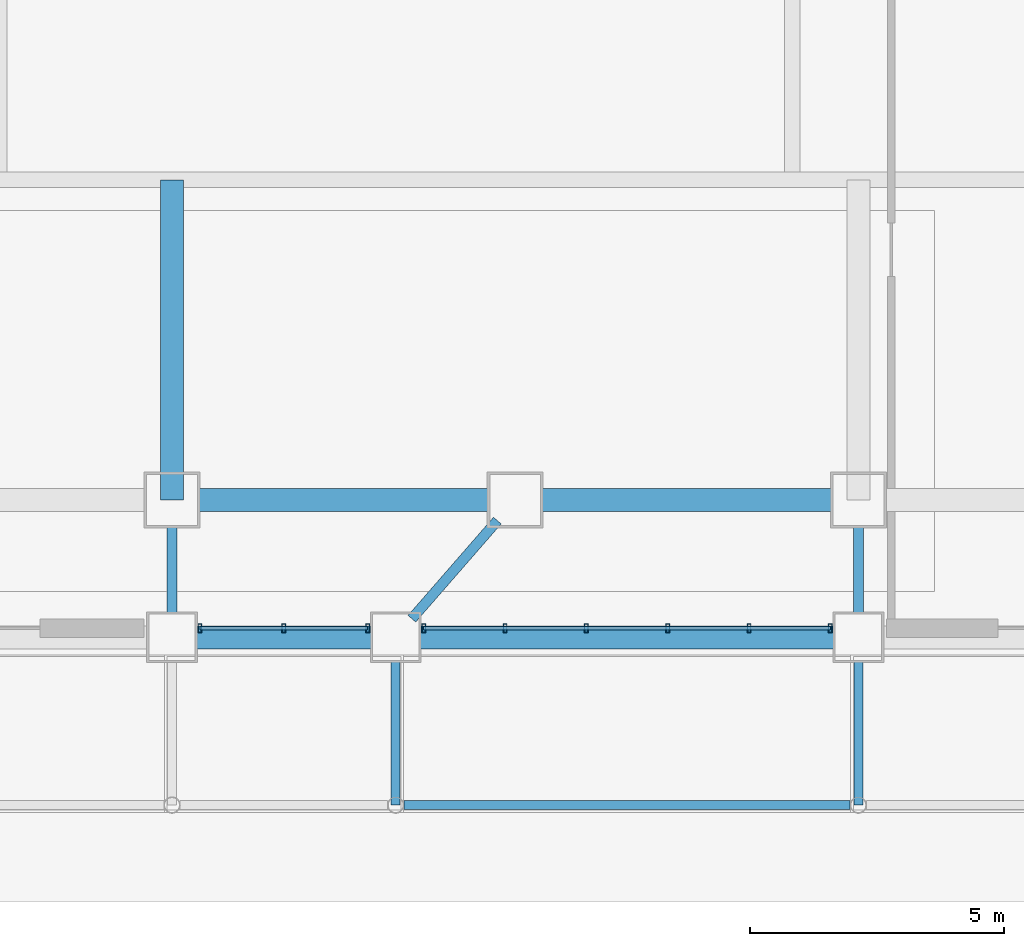
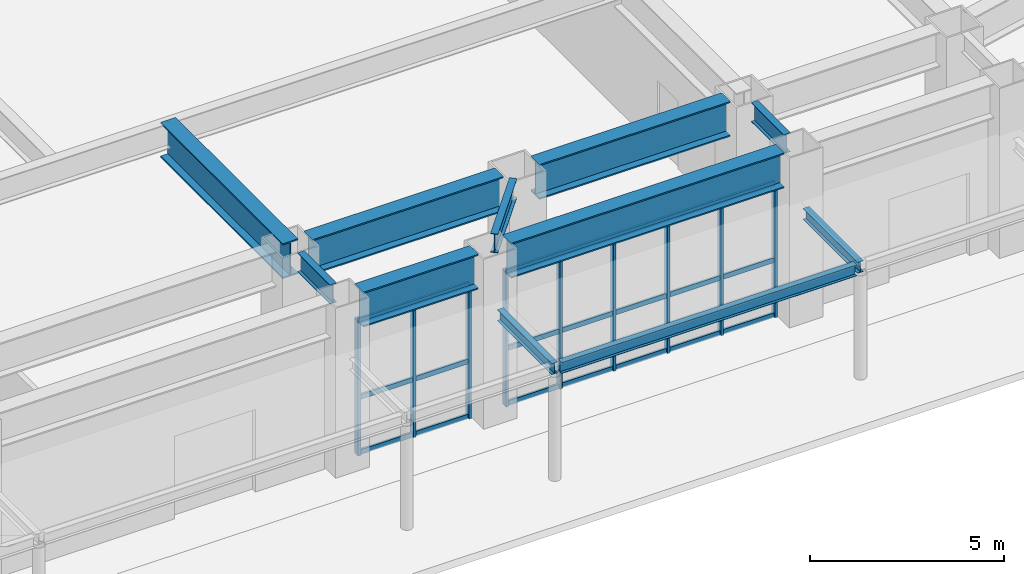
# One storey, part 6 of 18: 15 members, 11 beams, 2 elements without a shape of their own.
"""IFC4 building model written with IfcOpenShell, lengths in metres."""

from ifc_helpers import new_model, si_unit, direction, frame, origin, origin_2d, place, context, subcontext, project, spatial, hollow_rectangle, i_section, extrude, source, transform, mapped, material, layer, layer_set, material_profile, profile_set, type_object, element, aggregate, save


model = new_model("IFC4")

# Units and contexts
model_context = context("Model", 3, precision=1e-05, world=origin(), true_north=direction((0.0, 1.0)))
body_context = subcontext(model_context, "Body", "Model", "MODEL_VIEW")
ifc_project = project(units=[si_unit("LENGTHUNIT", "METRE"), si_unit("AREAUNIT", "SQUARE_METRE"), si_unit("VOLUMEUNIT", "CUBIC_METRE"), si_unit("PLANEANGLEUNIT", "RADIAN"), si_unit("MASSUNIT", "GRAM", prefix="KILO")], contexts=[model_context])

# Site, building, storey
site_placement = place(None, origin())
site = spatial("IfcSite", under=ifc_project, at=site_placement, CompositionType="ELEMENT")
building_placement = place(site_placement, origin())
building = spatial("IfcBuilding", under=site, at=building_placement, Name="Giltprow Tower", CompositionType="ELEMENT")
storey_placement = place(building_placement, origin())
storey = spatial("IfcBuildingStorey", under=building, at=storey_placement, Name="L01", CompositionType="ELEMENT", Elevation=0.0)

# Beams
ifc_material_1 = material(Name="Structural steel Q420GJC", Category="steel")
ifc_material_profile_1 = material_profile(ifc_material_1, i_section(OverallWidth=0.449951171875, OverallDepth=1.10009765625, WebThickness=0.02587890625, FlangeThickness=0.0419921875, at=origin_2d()), Name="WH 1100x450x26x42")
ifc_profile_set_1 = profile_set([ifc_material_profile_1], Name="Structural steel Q420GJC")
beam_type_1 = type_object("IfcBeamType", Name="BM-GIRD-WH1100", PredefinedType="BEAM", material=ifc_profile_set_1)
shared_shape_1 = source(origin(), body_context, "Body", "SweptSolid", [
    extrude(i_section(OverallWidth=0.449951171875, OverallDepth=1.10009765625, WebThickness=0.02587890625, FlangeThickness=0.0419921875, at=origin_2d()), origin(), (0.0, 0.0, 1.0), 5.679931640625),
])
for number, where, z_axis, x_axis, name in (
    (1, (31.3349609375, 3.300048828125, 4.7900390625), (1.0, 0.0, 0.0), (0.0, 1.0, 0.0), "L01 Tower Base Ring Girder 3"),
    (2, (38.0849609375, 3.300048828125, 4.7900390625), (1.0, 0.0, 0.0), (0.0, 1.0, 0.0), "L01 Tower Base Ring Girder 4"),
):
    element("IfcBeam", number, at=place(storey_placement, frame(where, z_axis=z_axis, x_axis=x_axis)), inside=storey, type_object=beam_type_1, Name=name, PredefinedType="BEAM", context=body_context, shape_type="MappedRepresentation", body=[
        mapped(shared_shape_1, transform((0.0, 0.0, 0.0), x_axis=(1.0, 0.0, 0.0), y_axis=(0.0, 1.0, 0.0), z_axis=(0.0, 0.0, 1.0), scale=1.0)),
    ])
shared_shape_2 = source(origin(), body_context, "Body", "SweptSolid", [
    extrude(i_section(OverallWidth=0.449951171875, OverallDepth=1.10009765625, WebThickness=0.02587890625, FlangeThickness=0.0419921875, at=origin_2d()), origin(), (0.0, 0.0, 1.0), 3.43017578125),
])
beam_1_placement = place(storey_placement, frame((31.284912109375, 0.60009765625, 4.7900390625), z_axis=(1.0, 0.0, 0.0), x_axis=(0.0, 1.0, 0.0)))
element("IfcBeam", 3, at=beam_1_placement, inside=storey, type_object=beam_type_1, Name="L01 Podium South Edge Girder", PredefinedType="BEAM", context=body_context, shape_type="MappedRepresentation", body=[
    mapped(shared_shape_2, transform((0.0, 0.0, 0.0), x_axis=(1.0, 0.0, 0.0), y_axis=(0.0, 1.0, 0.0), z_axis=(0.0, 0.0, 1.0), scale=1.0)),
])
shared_shape_3 = source(origin(), body_context, "Body", "SweptSolid", [
    extrude(i_section(OverallWidth=0.449951171875, OverallDepth=1.10009765625, WebThickness=0.02587890625, FlangeThickness=0.0419921875, at=origin_2d()), origin(), (0.0, 0.0, 1.0), 8.1298828125),
])
beam_2_placement = place(storey_placement, frame((35.68505859375, 0.60009765625, 4.7900390625), z_axis=(1.0, 0.0, 0.0), x_axis=(0.0, 1.0, 0.0)))
element("IfcBeam", 4, at=beam_2_placement, inside=storey, type_object=beam_type_1, Name="L01 Podium South Edge Girder", PredefinedType="BEAM", context=body_context, shape_type="MappedRepresentation", body=[
    mapped(shared_shape_3, transform((0.0, 0.0, 0.0), x_axis=(1.0, 0.0, 0.0), y_axis=(0.0, 1.0, 0.0), z_axis=(0.0, 0.0, 1.0), scale=1.0)),
])
ifc_material_2 = material(Name="Structural steel Q355B", Category="steel")
ifc_material_profile_2 = material_profile(ifc_material_2, i_section(OverallWidth=0.199951171875, OverallDepth=0.60009765625, WebThickness=0.010986328125, FlangeThickness=0.01708984375, at=origin_2d()), Name="HN 600x200x11x17")
ifc_profile_set_2 = profile_set([ifc_material_profile_2], Name="Structural steel Q355B")
beam_type_2 = type_object("IfcBeamType", Name="BM-GIRD-HN600", PredefinedType="BEAM", material=ifc_profile_set_2)
shared_shape_4 = source(origin(), body_context, "Body", "SweptSolid", [
    extrude(i_section(OverallWidth=0.199951171875, OverallDepth=0.60009765625, WebThickness=0.010986328125, FlangeThickness=0.01708984375, at=origin_2d()), origin(), (0.0, 0.0, 1.0), 1.679931640625),
])
for number, where, z_axis, x_axis, name in (
    (5, (30.800048828125, 1.0849609375, 5.0400390625), (0.0, 1.0, 0.0), (-1.0, 0.0, 0.0), "L01 South Perimeter Tie S2"),
    (6, (44.300048828125, 1.0849609375, 5.0400390625), (0.0, 1.0, 0.0), (-1.0, 0.0, 0.0), "L01 South Perimeter Tie S3"),
):
    element("IfcBeam", number, at=place(storey_placement, frame(where, z_axis=z_axis, x_axis=x_axis)), inside=storey, type_object=beam_type_2, Name=name, PredefinedType="BEAM", context=body_context, shape_type="MappedRepresentation", body=[
        mapped(shared_shape_4, transform((0.0, 0.0, 0.0), x_axis=(1.0, 0.0, 0.0), y_axis=(0.0, 1.0, 0.0), z_axis=(0.0, 0.0, 1.0), scale=1.0)),
    ])
shared_shape_5 = source(origin(), body_context, "Body", "SweptSolid", [
    extrude(i_section(OverallWidth=0.449951171875, OverallDepth=1.10009765625, WebThickness=0.02587890625, FlangeThickness=0.0419921875, at=origin_2d()), origin(), (0.0, 0.0, 1.0), 6.300048828125),
])
beam_3_placement = place(storey_placement, frame((30.800048828125, 3.300048828125, 4.7900390625), z_axis=(0.0, 1.0, 0.0), x_axis=(-1.0, 0.0, 0.0)))
element("IfcBeam", 7, at=beam_3_placement, inside=storey, type_object=beam_type_1, Name="L01 Atrium South Girder S2", PredefinedType="BEAM", context=body_context, shape_type="MappedRepresentation", body=[
    mapped(shared_shape_5, transform((0.0, 0.0, 0.0), x_axis=(1.0, 0.0, 0.0), y_axis=(0.0, 1.0, 0.0), z_axis=(0.0, 0.0, 1.0), scale=1.0)),
])
shared_shape_6 = source(origin(), body_context, "Body", "SweptSolid", [
    extrude(i_section(OverallWidth=0.199951171875, OverallDepth=0.60009765625, WebThickness=0.010986328125, FlangeThickness=0.01708984375, at=origin_2d()), origin(), (0.0, 0.0, 1.0), 2.559326171875),
])
beam_4_placement = place(storey_placement, frame((35.51806640625, 0.966064453125, 5.0400390625), z_axis=(0.656780744804, 0.754081595886, 0.0), x_axis=(-0.754081595886, 0.656780744804, 0.0)))
element("IfcBeam", 8, at=beam_4_placement, inside=storey, type_object=beam_type_2, Name="L01 South Mid Tie", PredefinedType="BEAM", context=body_context, shape_type="MappedRepresentation", body=[
    mapped(shared_shape_6, transform((0.0, 0.0, 0.0), x_axis=(1.0, 0.0, 0.0), y_axis=(0.0, 1.0, 0.0), z_axis=(0.0, 0.0, 1.0), scale=1.0)),
])

# Curtain wall, members
ifc_material_3 = material(Name="Anodized bronze", Category="metal")
ifc_layer = layer(ifc_material_3, 0.179931640625, Name="Anodized bronze")
ifc_layer_set = layer_set([ifc_layer], Name="Anodized bronze")
curtain_wall_type = type_object("IfcCurtainWallType", Name="CW-POD-STOREFRONT", PredefinedType="NOTDEFINED", material=ifc_layer_set)
curtain_wall_1_placement = place(storey_placement, origin())
curtain_wall_1 = element("IfcCurtainWall", 9, at=curtain_wall_1_placement, inside=storey, type_object=curtain_wall_type, Name="L01 South Waterfront Storefront 3", PredefinedType="NOTDEFINED")
ifc_material_profile_3 = material_profile(ifc_material_3, hollow_rectangle(XDim=0.074951171875, YDim=0.179931640625, WallThickness=0.008056640625, at=origin_2d()), Name="RHS 180x75x8")
ifc_profile_set_3 = profile_set([ifc_material_profile_3], Name="Anodized bronze")
member_type_1 = type_object("IfcMemberType", Name="CW-MULLION-180x75", PredefinedType="MULLION", material=ifc_profile_set_3)
shared_shape_7 = source(origin(), body_context, "Body", "SweptSolid", [
    extrude(hollow_rectangle(XDim=0.074951171875, YDim=0.179931640625, WallThickness=0.008056640625, at=origin_2d()), origin(), (0.0, 0.0, 1.0), 4.260009765625),
])
member_1_placement = place(storey_placement, frame((31.35009765625, 0.780029296875, -0.02001953125), z_axis=(0.0, 0.0, 1.0), x_axis=(1.0, 0.0, 0.0)))
member_1 = element("IfcMember", 10, at=member_1_placement, type_object=member_type_1, Name="L01 South Waterfront Storefront 3 Mullion 1", PredefinedType="MULLION", context=body_context, shape_type="MappedRepresentation", body=[
    mapped(shared_shape_7, transform((0.0, 0.0, 0.0), x_axis=(1.0, 0.0, 0.0), y_axis=(0.0, 1.0, 0.0), z_axis=(0.0, 0.0, 1.0), scale=1.0)),
])
member_2_placement = place(storey_placement, frame((33.0, 0.780029296875, -0.02001953125), z_axis=(0.0, 0.0, 1.0), x_axis=(1.0, 0.0, 0.0)))
member_2 = element("IfcMember", 11, at=member_2_placement, type_object=member_type_1, Name="L01 South Waterfront Storefront 3 Mullion 2", PredefinedType="MULLION", context=body_context, shape_type="MappedRepresentation", body=[
    mapped(shared_shape_7, transform((0.0, 0.0, 0.0), x_axis=(1.0, 0.0, 0.0), y_axis=(0.0, 1.0, 0.0), z_axis=(0.0, 0.0, 1.0), scale=1.0)),
])
member_3_placement = place(storey_placement, frame((34.64990234375, 0.780029296875, -0.02001953125), z_axis=(0.0, 0.0, 1.0), x_axis=(1.0, 0.0, 0.0)))
member_3 = element("IfcMember", 12, at=member_3_placement, type_object=member_type_1, Name="L01 South Waterfront Storefront 3 Mullion 3", PredefinedType="MULLION", context=body_context, shape_type="MappedRepresentation", body=[
    mapped(shared_shape_7, transform((0.0, 0.0, 0.0), x_axis=(1.0, 0.0, 0.0), y_axis=(0.0, 1.0, 0.0), z_axis=(0.0, 0.0, 1.0), scale=1.0)),
])

curtain_wall_2_placement = place(storey_placement, origin())
curtain_wall_2 = element("IfcCurtainWall", 13, at=curtain_wall_2_placement, inside=storey, type_object=curtain_wall_type, Name="L01 South Waterfront Storefront 4", PredefinedType="NOTDEFINED")
member_4_placement = place(storey_placement, frame((35.75, 0.780029296875, -0.02001953125), z_axis=(0.0, 0.0, 1.0), x_axis=(1.0, 0.0, 0.0)))
member_4 = element("IfcMember", 14, at=member_4_placement, type_object=member_type_1, Name="L01 South Waterfront Storefront 4 Mullion 1", PredefinedType="MULLION", context=body_context, shape_type="MappedRepresentation", body=[
    mapped(shared_shape_7, transform((0.0, 0.0, 0.0), x_axis=(1.0, 0.0, 0.0), y_axis=(0.0, 1.0, 0.0), z_axis=(0.0, 0.0, 1.0), scale=1.0)),
])
member_5_placement = place(storey_placement, frame((37.35009765625, 0.780029296875, -0.02001953125), z_axis=(0.0, 0.0, 1.0), x_axis=(1.0, 0.0, 0.0)))
member_5 = element("IfcMember", 15, at=member_5_placement, type_object=member_type_1, Name="L01 South Waterfront Storefront 4 Mullion 2", PredefinedType="MULLION", context=body_context, shape_type="MappedRepresentation", body=[
    mapped(shared_shape_7, transform((0.0, 0.0, 0.0), x_axis=(1.0, 0.0, 0.0), y_axis=(0.0, 1.0, 0.0), z_axis=(0.0, 0.0, 1.0), scale=1.0)),
])
member_6_placement = place(storey_placement, frame((38.949951171875, 0.780029296875, -0.02001953125), z_axis=(0.0, 0.0, 1.0), x_axis=(1.0, 0.0, 0.0)))
member_6 = element("IfcMember", 16, at=member_6_placement, type_object=member_type_1, Name="L01 South Waterfront Storefront 4 Mullion 3", PredefinedType="MULLION", context=body_context, shape_type="MappedRepresentation", body=[
    mapped(shared_shape_7, transform((0.0, 0.0, 0.0), x_axis=(1.0, 0.0, 0.0), y_axis=(0.0, 1.0, 0.0), z_axis=(0.0, 0.0, 1.0), scale=1.0)),
])
member_7_placement = place(storey_placement, frame((40.550048828125, 0.780029296875, -0.02001953125), z_axis=(0.0, 0.0, 1.0), x_axis=(1.0, 0.0, 0.0)))
member_7 = element("IfcMember", 17, at=member_7_placement, type_object=member_type_1, Name="L01 South Waterfront Storefront 4 Mullion 4", PredefinedType="MULLION", context=body_context, shape_type="MappedRepresentation", body=[
    mapped(shared_shape_7, transform((0.0, 0.0, 0.0), x_axis=(1.0, 0.0, 0.0), y_axis=(0.0, 1.0, 0.0), z_axis=(0.0, 0.0, 1.0), scale=1.0)),
])
member_8_placement = place(storey_placement, frame((42.14990234375, 0.780029296875, -0.02001953125), z_axis=(0.0, 0.0, 1.0), x_axis=(1.0, 0.0, 0.0)))
member_8 = element("IfcMember", 18, at=member_8_placement, type_object=member_type_1, Name="L01 South Waterfront Storefront 4 Mullion 5", PredefinedType="MULLION", context=body_context, shape_type="MappedRepresentation", body=[
    mapped(shared_shape_7, transform((0.0, 0.0, 0.0), x_axis=(1.0, 0.0, 0.0), y_axis=(0.0, 1.0, 0.0), z_axis=(0.0, 0.0, 1.0), scale=1.0)),
])
member_9_placement = place(storey_placement, frame((43.75, 0.780029296875, -0.02001953125), z_axis=(0.0, 0.0, 1.0), x_axis=(1.0, 0.0, 0.0)))
member_9 = element("IfcMember", 19, at=member_9_placement, type_object=member_type_1, Name="L01 South Waterfront Storefront 4 Mullion 6", PredefinedType="MULLION", context=body_context, shape_type="MappedRepresentation", body=[
    mapped(shared_shape_7, transform((0.0, 0.0, 0.0), x_axis=(1.0, 0.0, 0.0), y_axis=(0.0, 1.0, 0.0), z_axis=(0.0, 0.0, 1.0), scale=1.0)),
])

# Member
ifc_material_profile_4 = material_profile(ifc_material_3, hollow_rectangle(XDim=0.06494140625, YDim=0.14990234375, WallThickness=0.006103515625, at=origin_2d()), Name="RHS 150x65x6")
ifc_profile_set_4 = profile_set([ifc_material_profile_4], Name="Anodized bronze")
member_type_2 = type_object("IfcMemberType", Name="CW-TRANSOM-150x65", PredefinedType="USERDEFINED", material=ifc_profile_set_4)
shared_shape_8 = source(origin(), body_context, "Body", "SweptSolid", [
    extrude(hollow_rectangle(XDim=0.06494140625, YDim=0.14990234375, WallThickness=0.006103515625, at=origin_2d()), origin(), (0.0, 0.0, 1.0), 3.2998046875),
])
member_10_placement = place(storey_placement, frame((31.35009765625, 0.780029296875, 0.0400390625), z_axis=(1.0, 0.0, 0.0), x_axis=(0.0, 1.0, 0.0)))
member_10 = element("IfcMember", 20, at=member_10_placement, type_object=member_type_2, Name="L01 South Waterfront Storefront 3 Transom 1", ObjectType="TRANSOM", PredefinedType="USERDEFINED", context=body_context, shape_type="MappedRepresentation", body=[
    mapped(shared_shape_8, transform((0.0, 0.0, 0.0), x_axis=(1.0, 0.0, 0.0), y_axis=(0.0, 1.0, 0.0), z_axis=(0.0, 0.0, 1.0), scale=1.0)),
])

member_11_placement = place(storey_placement, frame((31.35009765625, 0.780029296875, 1.77197265625), z_axis=(1.0, 0.0, 0.0), x_axis=(0.0, 1.0, 0.0)))
member_11 = element("IfcMember", 21, at=member_11_placement, type_object=member_type_2, Name="L01 South Waterfront Storefront 3 Transom 2", ObjectType="TRANSOM", PredefinedType="USERDEFINED", context=body_context, shape_type="MappedRepresentation", body=[
    mapped(shared_shape_8, transform((0.0, 0.0, 0.0), x_axis=(1.0, 0.0, 0.0), y_axis=(0.0, 1.0, 0.0), z_axis=(0.0, 0.0, 1.0), scale=1.0)),
])

member_12_placement = place(storey_placement, frame((31.35009765625, 0.780029296875, 4.179931640625), z_axis=(1.0, 0.0, 0.0), x_axis=(0.0, 1.0, 0.0)))
member_12 = element("IfcMember", 22, at=member_12_placement, type_object=member_type_2, Name="L01 South Waterfront Storefront 3 Transom 3", ObjectType="TRANSOM", PredefinedType="USERDEFINED", context=body_context, shape_type="MappedRepresentation", body=[
    mapped(shared_shape_8, transform((0.0, 0.0, 0.0), x_axis=(1.0, 0.0, 0.0), y_axis=(0.0, 1.0, 0.0), z_axis=(0.0, 0.0, 1.0), scale=1.0)),
])

aggregate(curtain_wall_1, [member_1, member_2, member_3, member_10, member_11, member_12])

shared_shape_9 = source(origin(), body_context, "Body", "SweptSolid", [
    extrude(hollow_rectangle(XDim=0.06494140625, YDim=0.14990234375, WallThickness=0.006103515625, at=origin_2d()), origin(), (0.0, 0.0, 1.0), 8.0),
])
member_13_placement = place(storey_placement, frame((35.75, 0.780029296875, 0.0400390625), z_axis=(1.0, 0.0, 0.0), x_axis=(0.0, 1.0, 0.0)))
member_13 = element("IfcMember", 23, at=member_13_placement, type_object=member_type_2, Name="L01 South Waterfront Storefront 4 Transom 1", ObjectType="TRANSOM", PredefinedType="USERDEFINED", context=body_context, shape_type="MappedRepresentation", body=[
    mapped(shared_shape_9, transform((0.0, 0.0, 0.0), x_axis=(1.0, 0.0, 0.0), y_axis=(0.0, 1.0, 0.0), z_axis=(0.0, 0.0, 1.0), scale=1.0)),
])

member_14_placement = place(storey_placement, frame((35.75, 0.780029296875, 1.77197265625), z_axis=(1.0, 0.0, 0.0), x_axis=(0.0, 1.0, 0.0)))
member_14 = element("IfcMember", 24, at=member_14_placement, type_object=member_type_2, Name="L01 South Waterfront Storefront 4 Transom 2", ObjectType="TRANSOM", PredefinedType="USERDEFINED", context=body_context, shape_type="MappedRepresentation", body=[
    mapped(shared_shape_9, transform((0.0, 0.0, 0.0), x_axis=(1.0, 0.0, 0.0), y_axis=(0.0, 1.0, 0.0), z_axis=(0.0, 0.0, 1.0), scale=1.0)),
])

member_15_placement = place(storey_placement, frame((35.75, 0.780029296875, 4.179931640625), z_axis=(1.0, 0.0, 0.0), x_axis=(0.0, 1.0, 0.0)))
member_15 = element("IfcMember", 25, at=member_15_placement, type_object=member_type_2, Name="L01 South Waterfront Storefront 4 Transom 3", ObjectType="TRANSOM", PredefinedType="USERDEFINED", context=body_context, shape_type="MappedRepresentation", body=[
    mapped(shared_shape_9, transform((0.0, 0.0, 0.0), x_axis=(1.0, 0.0, 0.0), y_axis=(0.0, 1.0, 0.0), z_axis=(0.0, 0.0, 1.0), scale=1.0)),
])

aggregate(curtain_wall_2, [member_4, member_5, member_6, member_7, member_8, member_9, member_13, member_14, member_15])

# Beams
ifc_material_profile_5 = material_profile(ifc_material_2, i_section(OverallWidth=0.175048828125, OverallDepth=0.35009765625, WebThickness=0.007080078125, FlangeThickness=0.010986328125, at=origin_2d()), Name="HN 350x175x7x11")
ifc_profile_set_5 = profile_set([ifc_material_profile_5], Name="Structural steel Q355B")
beam_type_3 = type_object("IfcBeamType", Name="BM-CANOPY-ARM", PredefinedType="BEAM", material=ifc_profile_set_5)
shared_shape_10 = source(origin(), body_context, "Body", "SweptSolid", [
    extrude(i_section(OverallWidth=0.175048828125, OverallDepth=0.35009765625, WebThickness=0.007080078125, FlangeThickness=0.010986328125, at=origin_2d()), origin(), (0.0, 0.0, 1.0), 2.81005859375),
])
for number, where, z_axis, x_axis, name in (
    (26, (35.199951171875, -2.699951171875, 3.445068359375), (0.0, 1.0, 0.0), (-1.0, 0.0, 0.0), "Promenade Canopy Arm 4"),
    (27, (44.300048828125, -2.699951171875, 3.445068359375), (0.0, 1.0, 0.0), (-1.0, 0.0, 0.0), "Promenade Canopy Arm 5"),
):
    element("IfcBeam", number, at=place(storey_placement, frame(where, z_axis=z_axis, x_axis=x_axis)), inside=storey, type_object=beam_type_3, Name=name, PredefinedType="BEAM", context=body_context, shape_type="MappedRepresentation", body=[
        mapped(shared_shape_10, transform((0.0, 0.0, 0.0), x_axis=(1.0, 0.0, 0.0), y_axis=(0.0, 1.0, 0.0), z_axis=(0.0, 0.0, 1.0), scale=1.0)),
    ])
shared_shape_11 = source(origin(), body_context, "Body", "SweptSolid", [
    extrude(i_section(OverallWidth=0.175048828125, OverallDepth=0.35009765625, WebThickness=0.007080078125, FlangeThickness=0.010986328125, at=origin_2d()), origin(), (0.0, 0.0, 1.0), 8.77978515625),
])
beam_5_placement = place(storey_placement, frame((35.360107421875, -2.699951171875, 3.445068359375), z_axis=(1.0, 0.0, 0.0), x_axis=(0.0, 1.0, 0.0)))
element("IfcBeam", 28, at=beam_5_placement, inside=storey, type_object=beam_type_3, Name="Promenade Canopy Tie Beam 4", PredefinedType="BEAM", context=body_context, shape_type="MappedRepresentation", body=[
    mapped(shared_shape_11, transform((0.0, 0.0, 0.0), x_axis=(1.0, 0.0, 0.0), y_axis=(0.0, 1.0, 0.0), z_axis=(0.0, 0.0, 1.0), scale=1.0)),
])

save(model, "model.ifc")
